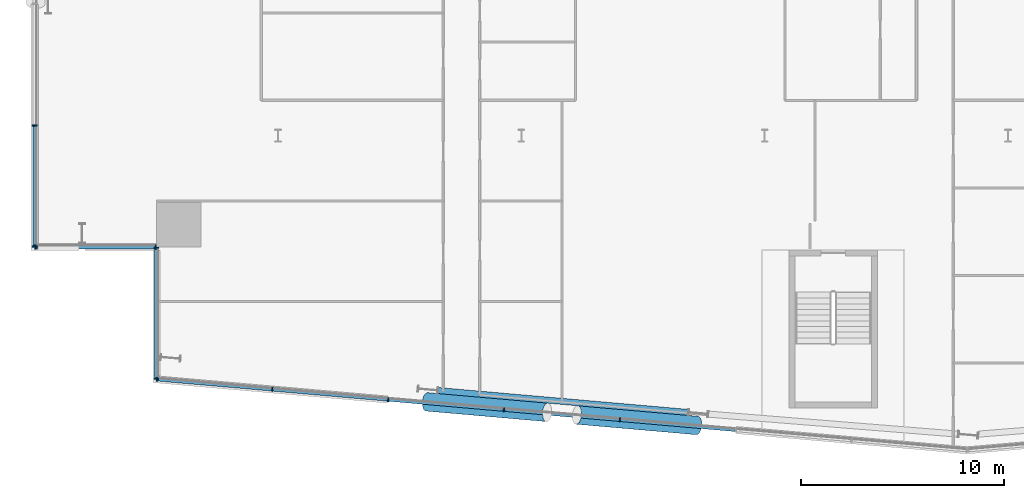
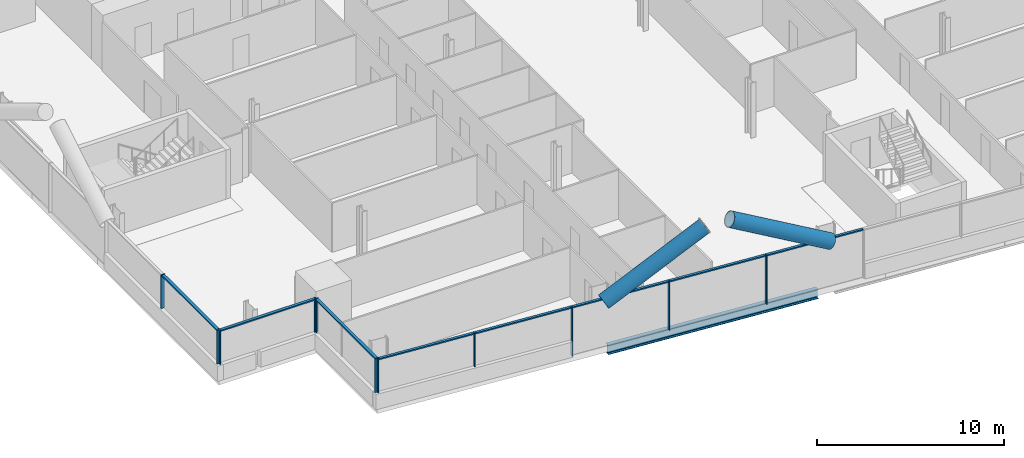
# One storey, part 4 of 27: 21 members, 1 beam, 4 elements without a shape of their own.
"""IFC4 building model written with IfcOpenShell, lengths in metres."""

from ifc_helpers import new_model, si_unit, direction, frame, origin, origin_2d, place, context, subcontext, project, spatial, rectangle, hollow_circle, i_section, extrude, material, material_profile, profile_set, type_object, element, aggregate, save


model = new_model("IFC4")

# Units and contexts
model_context = context("Model", 3, precision=1e-05, world=origin(), true_north=direction((0.0, 1.0)))
body_context = subcontext(model_context, "Body", "Model", "MODEL_VIEW")
ifc_project = project(units=[si_unit("LENGTHUNIT", "METRE"), si_unit("AREAUNIT", "SQUARE_METRE"), si_unit("VOLUMEUNIT", "CUBIC_METRE"), si_unit("PLANEANGLEUNIT", "RADIAN"), si_unit("MASSUNIT", "GRAM", prefix="KILO")], contexts=[model_context])

# Site, building, storey
site_placement = place(None, origin())
site = spatial("IfcSite", under=ifc_project, at=site_placement, CompositionType="ELEMENT")
building_placement = place(site_placement, origin())
building = spatial("IfcBuilding", under=site, at=building_placement, Name="Wharfspan Tower", CompositionType="ELEMENT")
storey_placement = place(building_placement, frame((0.0, 0.0, 73.899902)))
storey = spatial("IfcBuildingStorey", under=building, at=storey_placement, Name="L15", CompositionType="ELEMENT", Elevation=73.899902)

# Beam
ifc_material_1 = material(Name="Steel S355J2", Category="steel")
ifc_material_profile_1 = material_profile(ifc_material_1, i_section(OverallWidth=0.300049, OverallDepth=0.600098, WebThickness=0.015381, FlangeThickness=0.030029, FilletRadius=0.0271, at=origin_2d()))
ifc_profile_set_1 = profile_set([ifc_material_profile_1], Name="Steel S355J2")
beam_type = type_object("IfcBeamType", Name="Edge beam HEB 600", PredefinedType="SPANDREL", material=ifc_profile_set_1)
beam_placement = place(storey_placement, frame((19.888916, -1.077637, -0.699951), z_axis=(0.996195, -0.087154, 0.0), x_axis=(0.087154, 0.996195, 0.0)))
element("IfcBeam", 1, at=beam_placement, inside=storey, type_object=beam_type, Name="Edge beam S1 L15 PS1.2 to PS1.3", PredefinedType="SPANDREL", context=body_context, shape_type="SweptSolid", body=[
    extrude(i_section(OverallWidth=0.300049, OverallDepth=0.600098, WebThickness=0.015381, FlangeThickness=0.030029, FilletRadius=0.0271, at=origin_2d()), origin(), (0.0, 0.0, 1.0), 12.384277),
])

# Curtain wall, members
ifc_material_2 = material(Name="Aluminium 6063-T6", Category="aluminium")
curtain_wall_type_1 = type_object("IfcCurtainWallType", Name="CURTAIN WALL FACETED FRONT", PredefinedType="NOTDEFINED", material=ifc_material_2)
curtain_wall_1_placement = place(storey_placement, origin())
curtain_wall_1 = element("IfcCurtainWall", 2, at=curtain_wall_1_placement, inside=storey, type_object=curtain_wall_type_1, Name="Curtain wall S1", PredefinedType="NOTDEFINED")
ifc_material_profile_2 = material_profile(ifc_material_2, rectangle(XDim=0.199951, YDim=0.060059, at=origin_2d()))
ifc_profile_set_2 = profile_set([ifc_material_profile_2], Name="Aluminium 6063-T6")
member_type_1 = type_object("IfcMemberType", Name="MULLION FACETED FRONT 60x200", PredefinedType="MULLION", material=ifc_profile_set_2)
member_1_placement = place(storey_placement, frame((6.029785, -0.527588, 1.0), z_axis=(0.0, 0.0, 1.0), x_axis=(0.087156, 0.996197, 0.0)))
member_1 = element("IfcMember", 3, at=member_1_placement, type_object=member_type_1, Name="Curtain wall S1 mullion 1", PredefinedType="MULLION", context=body_context, shape_type="SweptSolid", body=[
    extrude(rectangle(XDim=0.199951, YDim=0.060059, at=origin_2d()), origin(), (0.0, 0.0, 1.0), 2.200195),
])
member_2_placement = place(storey_placement, frame((11.714355, -1.024902, 1.0), z_axis=(0.0, 0.0, 1.0), x_axis=(0.087156, 0.996197, 0.0)))
member_2 = element("IfcMember", 4, at=member_2_placement, type_object=member_type_1, Name="Curtain wall S1 mullion 2", PredefinedType="MULLION", context=body_context, shape_type="SweptSolid", body=[
    extrude(rectangle(XDim=0.199951, YDim=0.060059, at=origin_2d()), origin(), (0.0, 0.0, 1.0), 2.200195),
])
member_3_placement = place(storey_placement, frame((17.428467, -1.524902, 0.0), z_axis=(0.0, 0.0, 1.0), x_axis=(0.087156, 0.996197, 0.0)))
member_3 = element("IfcMember", 5, at=member_3_placement, type_object=member_type_1, Name="Curtain wall S1 mullion 3", PredefinedType="MULLION", context=body_context, shape_type="SweptSolid", body=[
    extrude(rectangle(XDim=0.199951, YDim=0.060059, at=origin_2d()), origin(), (0.0, 0.0, 1.0), 3.200195),
])
member_4_placement = place(storey_placement, frame((23.142822, -2.024658, 0.0), z_axis=(0.0, 0.0, 1.0), x_axis=(0.087156, 0.996197, 0.0)))
member_4 = element("IfcMember", 6, at=member_4_placement, type_object=member_type_1, Name="Curtain wall S1 mullion 4", PredefinedType="MULLION", context=body_context, shape_type="SweptSolid", body=[
    extrude(rectangle(XDim=0.199951, YDim=0.060059, at=origin_2d()), origin(), (0.0, 0.0, 1.0), 3.200195),
])
member_5_placement = place(storey_placement, frame((28.857178, -2.524658, 0.0), z_axis=(0.0, 0.0, 1.0), x_axis=(0.087156, 0.996197, 0.0)))
member_5 = element("IfcMember", 7, at=member_5_placement, type_object=member_type_1, Name="Curtain wall S1 mullion 5", PredefinedType="MULLION", context=body_context, shape_type="SweptSolid", body=[
    extrude(rectangle(XDim=0.199951, YDim=0.060059, at=origin_2d()), origin(), (0.0, 0.0, 1.0), 3.200195),
])

curtain_wall_type_2 = type_object("IfcCurtainWallType", Name="CURTAIN WALL PROW AND END", PredefinedType="NOTDEFINED", material=ifc_material_2)
curtain_wall_2_placement = place(storey_placement, origin())
curtain_wall_2 = element("IfcCurtainWall", 8, at=curtain_wall_2_placement, inside=storey, type_object=curtain_wall_type_2, Name="Curtain wall W", PredefinedType="NOTDEFINED")
ifc_material_profile_3 = material_profile(ifc_material_2, rectangle(XDim=0.23999, YDim=0.060059, at=origin_2d()))
ifc_profile_set_3 = profile_set([ifc_material_profile_3], Name="Aluminium 6063-T6")
member_type_2 = type_object("IfcMemberType", Name="MULLION PROW AND END 60x240", PredefinedType="MULLION", material=ifc_profile_set_3)
member_6_placement = place(storey_placement, frame((0.0, 12.0, 1.0), z_axis=(0.0, 0.0, 1.0), x_axis=(1.0, 0.0, 0.0)))
member_6 = element("IfcMember", 9, at=member_6_placement, type_object=member_type_2, Name="Curtain wall W mullion 6", PredefinedType="MULLION", context=body_context, shape_type="SweptSolid", body=[
    extrude(rectangle(XDim=0.23999, YDim=0.060059, at=origin_2d()), origin(), (0.0, 0.0, 1.0), 2.200195),
])
member_7_placement = place(storey_placement, frame((0.0, 6.030029, 1.0), z_axis=(0.0, 0.0, 1.0), x_axis=(1.0, 0.0, 0.0)))
member_7 = element("IfcMember", 10, at=member_7_placement, type_object=member_type_2, Name="Curtain wall W mullion 7", PredefinedType="MULLION", context=body_context, shape_type="SweptSolid", body=[
    extrude(rectangle(XDim=0.23999, YDim=0.060059, at=origin_2d()), origin(), (0.0, 0.0, 1.0), 2.200195),
])

curtain_wall_3_placement = place(storey_placement, origin())
curtain_wall_3 = element("IfcCurtainWall", 11, at=curtain_wall_3_placement, inside=storey, type_object=curtain_wall_type_2, Name="Curtain wall NFW-H", PredefinedType="NOTDEFINED")
member_8_placement = place(storey_placement, frame((0.030029, 6.0, 1.0), z_axis=(0.0, 0.0, 1.0), x_axis=(0.0, 1.0, 0.0)))
member_8 = element("IfcMember", 12, at=member_8_placement, type_object=member_type_2, Name="Curtain wall NFW-H mullion 1", PredefinedType="MULLION", context=body_context, shape_type="SweptSolid", body=[
    extrude(rectangle(XDim=0.23999, YDim=0.060059, at=origin_2d()), origin(), (0.0, 0.0, 1.0), 2.200195),
])
member_9_placement = place(storey_placement, frame((5.969971, 6.0, 1.0), z_axis=(0.0, 0.0, 1.0), x_axis=(0.0, 1.0, 0.0)))
member_9 = element("IfcMember", 13, at=member_9_placement, type_object=member_type_2, Name="Curtain wall NFW-H mullion 2", PredefinedType="MULLION", context=body_context, shape_type="SweptSolid", body=[
    extrude(rectangle(XDim=0.23999, YDim=0.060059, at=origin_2d()), origin(), (0.0, 0.0, 1.0), 2.200195),
])

curtain_wall_4_placement = place(storey_placement, origin())
curtain_wall_4 = element("IfcCurtainWall", 14, at=curtain_wall_4_placement, inside=storey, type_object=curtain_wall_type_2, Name="Curtain wall NFW-V", PredefinedType="NOTDEFINED")
member_10_placement = place(storey_placement, frame((6.0, 5.969971, 1.0), z_axis=(0.0, 0.0, 1.0), x_axis=(1.0, 0.0, 0.0)))
member_10 = element("IfcMember", 15, at=member_10_placement, type_object=member_type_2, Name="Curtain wall NFW-V mullion 1", PredefinedType="MULLION", context=body_context, shape_type="SweptSolid", body=[
    extrude(rectangle(XDim=0.23999, YDim=0.060059, at=origin_2d()), origin(), (0.0, 0.0, 1.0), 2.200195),
])
member_11_placement = place(storey_placement, frame((6.0, -0.494873, 1.0), z_axis=(0.0, 0.0, 1.0), x_axis=(1.0, 0.0, 0.0)))
member_11 = element("IfcMember", 16, at=member_11_placement, type_object=member_type_2, Name="Curtain wall NFW-V mullion 2", PredefinedType="MULLION", context=body_context, shape_type="SweptSolid", body=[
    extrude(rectangle(XDim=0.23999, YDim=0.060059, at=origin_2d()), origin(), (0.0, 0.0, 1.0), 2.200195),
])

# Members
ifc_material_3 = material(Name="Steel S460NH", Category="steel")
ifc_material_profile_4 = material_profile(ifc_material_3, hollow_circle(Radius=0.457031, WallThickness=0.040039, at=origin_2d()))
ifc_profile_set_4 = profile_set([ifc_material_profile_4], Name="Steel S460NH")
member_type_3 = type_object("IfcMemberType", Name="Mega brace CHS 914x40", PredefinedType="BRACE", material=ifc_profile_set_4)
for number, where, z_axis, x_axis, name in (
    (17, (19.338135, -1.636719, 2.900146), (0.877314, -0.076746, 0.47374), (0.087144, 0.996196, 3e-06), "Mega brace S1 L16 part 1"),
    (18, (32.671387, -2.803223, 2.900146), (-0.877314, 0.076746, 0.47374), (-0.087144, -0.996196, 3e-06), "Mega brace S1 L16 part 3"),
):
    element("IfcMember", number, at=place(storey_placement, frame(where, z_axis=z_axis, x_axis=x_axis)), inside=storey, type_object=member_type_3, Name=name, PredefinedType="BRACE", context=body_context, shape_type="SweptSolid", body=[
        extrude(hollow_circle(Radius=0.457031, WallThickness=0.040039, at=origin_2d()), origin(), (0.0, 0.0, 1.0), 6.753662),
    ])

# Member
ifc_material_profile_5 = material_profile(ifc_material_2, rectangle(XDim=0.159912, YDim=0.080078, at=origin_2d()))
ifc_profile_set_5 = profile_set([ifc_material_profile_5], Name="Aluminium 6063-T6")
member_type_4 = type_object("IfcMemberType", Name="TRANSOM FACETED FRONT 80x160", PredefinedType="USERDEFINED", material=ifc_profile_set_5)
member_12_placement = place(storey_placement, frame((6.059814, -0.530273, 3.160156), z_axis=(0.996197, -0.087132, 0.0), x_axis=(0.087132, 0.996197, 0.0)))
member_12 = element("IfcMember", 19, at=member_12_placement, type_object=member_type_4, Name="Curtain wall S1 transom 1", ObjectType="TRANSOM", PredefinedType="USERDEFINED", context=body_context, shape_type="SweptSolid", body=[
    extrude(rectangle(XDim=0.159912, YDim=0.080078, at=origin_2d()), origin(), (0.0, 0.0, 1.0), 5.645996),
])

member_13_placement = place(storey_placement, frame((11.744141, -1.027588, 3.160156), z_axis=(0.996196, -0.087142, 0.0), x_axis=(0.087142, 0.996196, 0.0)))
member_13 = element("IfcMember", 20, at=member_13_placement, type_object=member_type_4, Name="Curtain wall S1 transom 2", ObjectType="TRANSOM", PredefinedType="USERDEFINED", context=body_context, shape_type="SweptSolid", body=[
    extrude(rectangle(XDim=0.159912, YDim=0.080078, at=origin_2d()), origin(), (0.0, 0.0, 1.0), 5.676025),
])

member_14_placement = place(storey_placement, frame((17.458496, -1.527344, 3.160156), z_axis=(0.996192, -0.087185, 0.0), x_axis=(0.087185, 0.996192, 0.0)))
member_14 = element("IfcMember", 21, at=member_14_placement, type_object=member_type_4, Name="Curtain wall S1 transom 3", ObjectType="TRANSOM", PredefinedType="USERDEFINED", context=body_context, shape_type="SweptSolid", body=[
    extrude(rectangle(XDim=0.159912, YDim=0.080078, at=origin_2d()), origin(), (0.0, 0.0, 1.0), 5.67627),
])

member_15_placement = place(storey_placement, frame((23.172852, -2.027344, 3.160156), z_axis=(0.996196, -0.087146, 0.0), x_axis=(0.087146, 0.996196, 0.0)))
member_15 = element("IfcMember", 22, at=member_15_placement, type_object=member_type_4, Name="Curtain wall S1 transom 4", ObjectType="TRANSOM", PredefinedType="USERDEFINED", context=body_context, shape_type="SweptSolid", body=[
    extrude(rectangle(XDim=0.159912, YDim=0.080078, at=origin_2d()), origin(), (0.0, 0.0, 1.0), 5.675781),
])

member_16_placement = place(storey_placement, frame((28.886963, -2.527344, 3.160156), z_axis=(0.996196, -0.087142, 0.0), x_axis=(0.087142, 0.996196, 0.0)))
member_16 = element("IfcMember", 23, at=member_16_placement, type_object=member_type_4, Name="Curtain wall S1 transom 5", ObjectType="TRANSOM", PredefinedType="USERDEFINED", context=body_context, shape_type="SweptSolid", body=[
    extrude(rectangle(XDim=0.159912, YDim=0.080078, at=origin_2d()), origin(), (0.0, 0.0, 1.0), 5.676025),
])

aggregate(curtain_wall_1, [member_1, member_2, member_3, member_4, member_5, member_12, member_13, member_14, member_15, member_16])

ifc_material_profile_6 = material_profile(ifc_material_2, rectangle(XDim=0.179932, YDim=0.080078, at=origin_2d()))
ifc_profile_set_6 = profile_set([ifc_material_profile_6], Name="Aluminium 6063-T6")
member_type_5 = type_object("IfcMemberType", Name="TRANSOM PROW AND END 80x180", PredefinedType="USERDEFINED", material=ifc_profile_set_6)
member_17_placement = place(storey_placement, frame((0.0, 11.969971, 3.160156), z_axis=(0.0, -1.0, 0.0), x_axis=(1.0, 0.0, 0.0)))
member_17 = element("IfcMember", 24, at=member_17_placement, type_object=member_type_5, Name="Curtain wall W transom 6", ObjectType="TRANSOM", PredefinedType="USERDEFINED", context=body_context, shape_type="SweptSolid", body=[
    extrude(rectangle(XDim=0.179932, YDim=0.080078, at=origin_2d()), origin(), (0.0, 0.0, 1.0), 5.909912),
])

aggregate(curtain_wall_2, [member_6, member_7, member_17])

member_18_placement = place(storey_placement, frame((0.060059, 6.0, 3.160156), z_axis=(1.0, 0.0, 0.0), x_axis=(0.0, 1.0, 0.0)))
member_18 = element("IfcMember", 25, at=member_18_placement, type_object=member_type_5, Name="Curtain wall NFW-H transom 1", ObjectType="TRANSOM", PredefinedType="USERDEFINED", context=body_context, shape_type="SweptSolid", body=[
    extrude(rectangle(XDim=0.179932, YDim=0.080078, at=origin_2d()), origin(), (0.0, 0.0, 1.0), 5.879883),
])

aggregate(curtain_wall_3, [member_8, member_9, member_18])

member_19_placement = place(storey_placement, frame((6.0, 5.939941, 3.160156), z_axis=(0.0, -1.0, 0.0), x_axis=(1.0, 0.0, 0.0)))
member_19 = element("IfcMember", 26, at=member_19_placement, type_object=member_type_5, Name="Curtain wall NFW-V transom 1", ObjectType="TRANSOM", PredefinedType="USERDEFINED", context=body_context, shape_type="SweptSolid", body=[
    extrude(rectangle(XDim=0.179932, YDim=0.080078, at=origin_2d()), origin(), (0.0, 0.0, 1.0), 6.404785),
])

aggregate(curtain_wall_4, [member_10, member_11, member_19])

save(model, "model.ifc")
